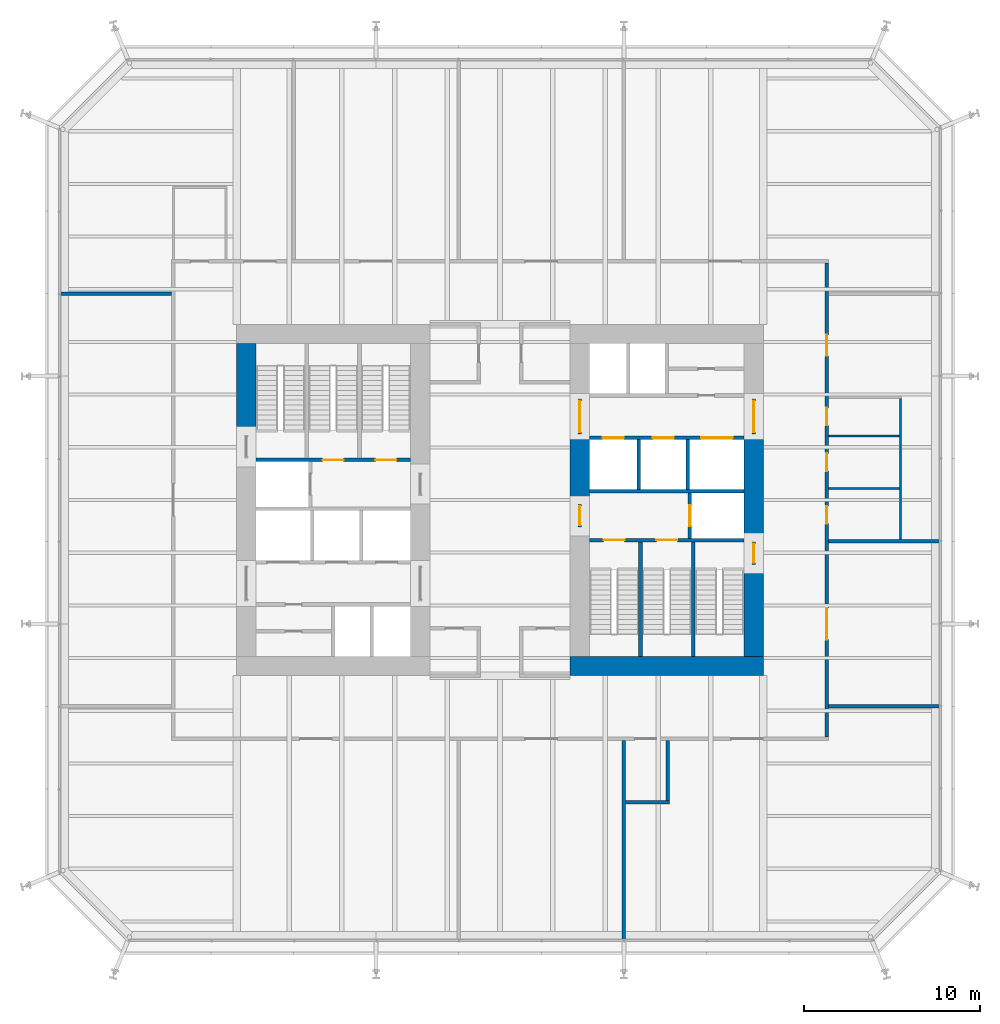
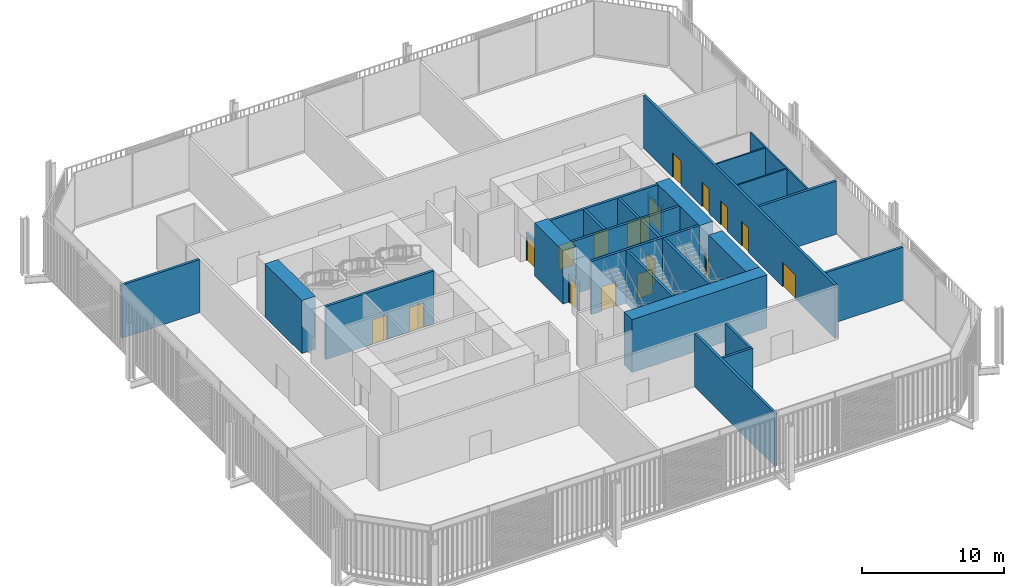
# One storey, part 19 of 22: 28 walls, 17 doors, 17 openings.
"""IFC4 building model written with IfcOpenShell, lengths in metres."""

from ifc_helpers import new_model, si_unit, direction, frame, frame_2d, origin, place, context, subcontext, project, spatial, rectangle, extrude, material, layer, layer_set, type_object, element, fill, save


model = new_model("IFC4")

# Units and contexts
model_context = context("Model", 3, precision=1e-05, world=origin(), true_north=direction((0.0, 1.0)))
body_context = subcontext(model_context, "Body", "Model", "MODEL_VIEW")
ifc_project = project(units=[si_unit("LENGTHUNIT", "METRE"), si_unit("AREAUNIT", "SQUARE_METRE"), si_unit("VOLUMEUNIT", "CUBIC_METRE"), si_unit("PLANEANGLEUNIT", "RADIAN"), si_unit("MASSUNIT", "GRAM", prefix="KILO")], contexts=[model_context])

# Site, building, storey
site_placement = place(None, origin())
site = spatial("IfcSite", under=ifc_project, at=site_placement, CompositionType="ELEMENT")
building_placement = place(site_placement, origin())
building = spatial("IfcBuilding", under=site, at=building_placement, Name="Millrace Tower", CompositionType="ELEMENT")
storey_placement = place(building_placement, frame((0.0, 0.0, 40.10009765625)))
storey = spatial("IfcBuildingStorey", under=building, at=storey_placement, Name="L09", CompositionType="ELEMENT", Elevation=40.10009765625)

# Walls
ifc_material_1 = material(Name="Concrete C80", Category="concrete")
ifc_layer_1 = layer(ifc_material_1, 1.10009765625)
ifc_layer_set_1 = layer_set([ifc_layer_1], Name="Concrete C80")
wall_type_1 = type_object("IfcWallType", Name="Core wall 1100 Concrete C80", PredefinedType="SHEAR", material=ifc_layer_set_1)
wall_1_placement = place(storey_placement, frame((-14.449951171875, 3.679931640625, 0.0), z_axis=(0.0, 0.0, 1.0), x_axis=(0.0, 1.0, 0.0)))
element("IfcWall", 1, at=wall_1_placement, inside=storey, type_object=wall_type_1, Name="Core wall W L09", PredefinedType="SHEAR", context=body_context, shape_type="SweptSolid", body=[
    extrude(rectangle(XDim=5.219970703125, YDim=1.10009765625, at=frame_2d((2.60986328125, 0.0))), origin(), (0.0, 0.0, 1.0), 4.574951171875),
])
wall_2_placement = place(storey_placement, frame((15.0, -9.449951171875, 0.0), z_axis=(0.0, 0.0, 1.0), x_axis=(-1.0, 0.0, 0.0)))
element("IfcWall", 2, at=wall_2_placement, inside=storey, type_object=wall_type_1, Name="Core wall E L09", PredefinedType="SHEAR", context=body_context, shape_type="SweptSolid", body=[
    extrude(rectangle(XDim=11.0, YDim=1.10009765625, at=frame_2d((5.5, 0.0))), origin(), (0.0, 0.0, 1.0), 4.574951171875),
])
wall_3_placement = place(storey_placement, frame((14.449951171875, 3.75, 0.0), z_axis=(0.0, 0.0, 1.0), x_axis=(0.0, -1.0, 0.0)))
element("IfcWall", 3, at=wall_3_placement, inside=storey, type_object=wall_type_1, Name="Core wall E L09", PredefinedType="SHEAR", context=body_context, shape_type="SweptSolid", body=[
    extrude(rectangle(XDim=6.1298828125, YDim=1.10009765625, at=frame_2d((3.06494140625, 0.0))), origin(), (0.0, 0.0, 1.0), 4.574951171875),
])
wall_4_placement = place(storey_placement, frame((14.449951171875, -3.679931640625, 0.0), z_axis=(0.0, 0.0, 1.0), x_axis=(0.0, -1.0, 0.0)))
element("IfcWall", 4, at=wall_4_placement, inside=storey, type_object=wall_type_1, Name="Core wall E L09", PredefinedType="SHEAR", context=body_context, shape_type="SweptSolid", body=[
    extrude(rectangle(XDim=5.219970703125, YDim=1.10009765625, at=frame_2d((2.60986328125, 0.0))), origin(), (0.0, 0.0, 1.0), 4.574951171875),
])
wall_5_placement = place(storey_placement, frame((4.550048828125, 3.75, 0.0), z_axis=(0.0, 0.0, 1.0), x_axis=(0.0, -1.0, 0.0)))
element("IfcWall", 5, at=wall_5_placement, inside=storey, type_object=wall_type_1, Name="Core wall E L09", PredefinedType="SHEAR", context=body_context, shape_type="SweptSolid", body=[
    extrude(rectangle(XDim=4.0, YDim=1.10009765625, at=frame_2d((2.0, 0.0))), origin(), (0.0, 0.0, 1.0), 4.574951171875),
])
ifc_material_2 = material(Name="Masonry partition, fire-rated", Category="masonry")
ifc_layer_2 = layer(ifc_material_2, 0.199951171875)
ifc_layer_set_2 = layer_set([ifc_layer_2], Name="Masonry partition, fire-rated")
wall_type_2 = type_object("IfcWallType", Name="Corridor wall 200", PredefinedType="PARTITIONING", material=ifc_layer_set_2)
wall_6_placement = place(storey_placement, frame((7.14990234375, -17.199951171875, 0.0), z_axis=(0.0, 0.0, 1.0), x_axis=(1.0, 0.0, 0.0)))
element("IfcWall", 6, at=wall_6_placement, inside=storey, type_object=wall_type_2, Name="Corridor wall L09", PredefinedType="PARTITIONING", context=body_context, shape_type="SweptSolid", body=[
    extrude(rectangle(XDim=2.5, YDim=0.199951171875, at=frame_2d((1.25, 0.0))), origin(), (0.0, 0.0, 1.0), 4.574951171875),
])
for number, where, z_axis, x_axis, name in (
    (7, (18.699951171875, -11.75, 0.0), (0.0, 0.0, 1.0), (1.0, 0.0, 0.0), "Corridor wall L09"),
    (8, (18.699951171875, -2.35009765625, 0.0), (0.0, 0.0, 1.0), (1.0, 0.0, 0.0), "Corridor wall L09"),
    (9, (-25.030029296875, 11.75, 0.0), (0.0, 0.0, 1.0), (1.0, 0.0, 0.0), "Corridor wall L09"),
):
    element("IfcWall", number, at=place(storey_placement, frame(where, z_axis=z_axis, x_axis=x_axis)), inside=storey, type_object=wall_type_2, Name=name, PredefinedType="PARTITIONING", context=body_context, shape_type="SweptSolid", body=[
        extrude(rectangle(XDim=6.330078125, YDim=0.199951171875, at=frame_2d((3.1650390625, 0.0))), origin(), (0.0, 0.0, 1.0), 4.574951171875),
    ])

# Wall, openings, doors
wall_7_placement = place(storey_placement, frame((18.60009765625, -13.5, 0.0), z_axis=(0.0, 0.0, 1.0), x_axis=(0.0, 1.0, 0.0)))
wall_7 = element("IfcWall", 10, at=wall_7_placement, inside=storey, type_object=wall_type_2, Name="Corridor wall L09", PredefinedType="PARTITIONING", context=body_context, shape_type="SweptSolid", body=[
    extrude(rectangle(XDim=27.0, YDim=0.199951171875, at=frame_2d((13.5, 0.0))), origin(), (0.0, 0.0, 1.0), 4.574951171875),
])
opening_1_placement = place(wall_7_placement, frame((5.550048828125, 0.0, 0.0)))
opening_1 = element("IfcOpeningElement", 11, at=opening_1_placement, cuts=wall_7, Name="Opening 09-P014", PredefinedType="OPENING", context=body_context, shape_type="SweptSolid", body=[
    extrude(rectangle(XDim=1.800048828125, YDim=2.10009765625, at=frame_2d((0.89990234375, 1.050048828125))), frame((0.0, 0.10986328125, 0.0), z_axis=(0.0, -1.0, 0.0), x_axis=(1.0, 0.0, 0.0)), (0.0, 0.0, 1.0), 0.219970703125),
])
opening_2_placement = place(wall_7_placement, frame((21.699951171875, 0.0, 0.0)))
opening_2 = element("IfcOpeningElement", 12, at=opening_2_placement, cuts=wall_7, Name="Opening 09-P015", PredefinedType="OPENING", context=body_context, shape_type="SweptSolid", body=[
    extrude(rectangle(XDim=1.199951171875, YDim=2.10009765625, at=frame_2d((0.60009765625, 1.050048828125))), frame((0.0, 0.10986328125, 0.0), z_axis=(0.0, -1.0, 0.0), x_axis=(1.0, 0.0, 0.0)), (0.0, 0.0, 1.0), 0.219970703125),
])
opening_3_placement = place(wall_7_placement, frame((12.14990234375, 0.0, 0.0)))
opening_3 = element("IfcOpeningElement", 13, at=opening_3_placement, cuts=wall_7, Name="Opening 09-P017", PredefinedType="OPENING", context=body_context, shape_type="SweptSolid", body=[
    extrude(rectangle(XDim=1.0, YDim=2.10009765625, at=frame_2d((0.5, 1.050048828125))), frame((0.0, 0.10986328125, 0.0), z_axis=(0.0, -1.0, 0.0), x_axis=(1.0, 0.0, 0.0)), (0.0, 0.0, 1.0), 0.219970703125),
])
opening_4_placement = place(wall_7_placement, frame((15.14990234375, 0.0, 0.0)))
opening_4 = element("IfcOpeningElement", 14, at=opening_4_placement, cuts=wall_7, Name="Opening 09-P018", PredefinedType="OPENING", context=body_context, shape_type="SweptSolid", body=[
    extrude(rectangle(XDim=1.0, YDim=2.10009765625, at=frame_2d((0.5, 1.050048828125))), frame((0.0, 0.10986328125, 0.0), z_axis=(0.0, -1.0, 0.0), x_axis=(1.0, 0.0, 0.0)), (0.0, 0.0, 1.0), 0.219970703125),
])
opening_5_placement = place(wall_7_placement, frame((17.75, 0.0, 0.0)))
opening_5 = element("IfcOpeningElement", 15, at=opening_5_placement, cuts=wall_7, Name="Opening 09-P019", PredefinedType="OPENING", context=body_context, shape_type="SweptSolid", body=[
    extrude(rectangle(XDim=1.0, YDim=2.10009765625, at=frame_2d((0.5, 1.050048828125))), frame((0.0, 0.10986328125, 0.0), z_axis=(0.0, -1.0, 0.0), x_axis=(1.0, 0.0, 0.0)), (0.0, 0.0, 1.0), 0.219970703125),
])
ifc_material_3 = material(Name="Steel door set, fire-rated", Category="steel")
door_type_1 = type_object("IfcDoorType", Name="Corridor door 1000 x 2100", OperationType="SINGLE_SWING_LEFT", PredefinedType="DOOR", material=ifc_material_3)
door_1_placement = place(opening_3_placement, frame((1.0, 0.0, 0.0), z_axis=(0.0, 0.0, 1.0), x_axis=(-1.0, 0.0, 0.0)))
door_1 = element("IfcDoor", 16, at=door_1_placement, inside=storey, type_object=door_type_1, Name="Door 09-P017", OperationType="SINGLE_SWING_RIGHT", OverallHeight=2.10009765625, OverallWidth=1.0, PredefinedType="DOOR", context=body_context, shape_type="SweptSolid", body=[
    extrude(rectangle(XDim=1.0, YDim=2.10009765625, at=frame_2d((0.5, 1.050048828125))), frame((0.0, 0.02490234375, 0.0), z_axis=(0.0, -1.0, 0.0), x_axis=(1.0, 0.0, 0.0)), (0.0, 0.0, 1.0), 0.050048828125),
])
fill(opening_3, door_1)
door_2_placement = place(opening_4_placement, frame((1.0, 0.0, 0.0), z_axis=(0.0, 0.0, 1.0), x_axis=(-1.0, 0.0, 0.0)))
door_2 = element("IfcDoor", 17, at=door_2_placement, inside=storey, type_object=door_type_1, Name="Door 09-P018", OperationType="SINGLE_SWING_LEFT", OverallHeight=2.10009765625, OverallWidth=1.0, PredefinedType="DOOR", context=body_context, shape_type="SweptSolid", body=[
    extrude(rectangle(XDim=1.0, YDim=2.10009765625, at=frame_2d((0.5, 1.050048828125))), frame((0.0, 0.02490234375, 0.0), z_axis=(0.0, -1.0, 0.0), x_axis=(1.0, 0.0, 0.0)), (0.0, 0.0, 1.0), 0.050048828125),
])
fill(opening_4, door_2)
door_3_placement = place(opening_5_placement, frame((1.0, 0.0, 0.0), z_axis=(0.0, 0.0, 1.0), x_axis=(-1.0, 0.0, 0.0)))
door_3 = element("IfcDoor", 18, at=door_3_placement, inside=storey, type_object=door_type_1, Name="Door 09-P019", OperationType="SINGLE_SWING_LEFT", OverallHeight=2.10009765625, OverallWidth=1.0, PredefinedType="DOOR", context=body_context, shape_type="SweptSolid", body=[
    extrude(rectangle(XDim=1.0, YDim=2.10009765625, at=frame_2d((0.5, 1.050048828125))), frame((0.0, 0.02490234375, 0.0), z_axis=(0.0, -1.0, 0.0), x_axis=(1.0, 0.0, 0.0)), (0.0, 0.0, 1.0), 0.050048828125),
])
fill(opening_5, door_3)
ifc_material_4 = material(Name="Steel door set, fire-rated", Category="steel")
door_type_2 = type_object("IfcDoorType", Name="Corridor door 1200 x 2100", OperationType="SINGLE_SWING_LEFT", PredefinedType="DOOR", material=ifc_material_4)
door_4_placement = place(opening_2_placement, frame((1.199951171875, 0.0, 0.0), z_axis=(0.0, 0.0, 1.0), x_axis=(-1.0, 0.0, 0.0)))
door_4 = element("IfcDoor", 19, at=door_4_placement, inside=storey, type_object=door_type_2, Name="Door 09-P015", OperationType="SINGLE_SWING_LEFT", OverallHeight=2.10009765625, OverallWidth=1.199951171875, PredefinedType="DOOR", context=body_context, shape_type="SweptSolid", body=[
    extrude(rectangle(XDim=1.199951171875, YDim=2.10009765625, at=frame_2d((0.60009765625, 1.050048828125))), frame((0.0, 0.02490234375, 0.0), z_axis=(0.0, -1.0, 0.0), x_axis=(1.0, 0.0, 0.0)), (0.0, 0.0, 1.0), 0.050048828125),
])
fill(opening_2, door_4)
ifc_material_5 = material(Name="Steel door set, fire-rated", Category="steel")
door_type_3 = type_object("IfcDoorType", Name="Data hall door 1800 x 2100", OperationType="DOUBLE_DOOR_SINGLE_SWING", PredefinedType="DOOR", material=ifc_material_5)
door_5_placement = place(opening_1_placement, frame((1.800048828125, 0.0, 0.0), z_axis=(0.0, 0.0, 1.0), x_axis=(-1.0, 0.0, 0.0)))
door_5 = element("IfcDoor", 20, at=door_5_placement, inside=storey, type_object=door_type_3, Name="Door 09-P014", OperationType="DOUBLE_DOOR_SINGLE_SWING", OverallHeight=2.10009765625, OverallWidth=1.800048828125, PredefinedType="DOOR", context=body_context, shape_type="SweptSolid", body=[
    extrude(rectangle(XDim=1.800048828125, YDim=2.10009765625, at=frame_2d((0.89990234375, 1.050048828125))), frame((0.0, 0.02490234375, 0.0), z_axis=(0.0, -1.0, 0.0), x_axis=(1.0, 0.0, 0.0)), (0.0, 0.0, 1.0), 0.050048828125),
])
fill(opening_1, door_5)

# Walls
wall_8_placement = place(storey_placement, frame((9.550048828125, -17.10009765625, 0.0), z_axis=(0.0, 0.0, 1.0), x_axis=(0.0, 1.0, 0.0)))
element("IfcWall", 21, at=wall_8_placement, inside=storey, type_object=wall_type_2, Name="Corridor wall L09", PredefinedType="PARTITIONING", context=body_context, shape_type="SweptSolid", body=[
    extrude(rectangle(XDim=3.400146484375, YDim=0.199951171875, at=frame_2d((1.7001953125, 0.0))), origin(), (0.0, 0.0, 1.0), 4.574951171875),
])
wall_9_placement = place(storey_placement, frame((7.050048828125, -25.030029296875, 0.0), z_axis=(0.0, 0.0, 1.0), x_axis=(0.0, 1.0, 0.0)))
element("IfcWall", 22, at=wall_9_placement, inside=storey, type_object=wall_type_2, Name="Corridor wall L09", PredefinedType="PARTITIONING", context=body_context, shape_type="SweptSolid", body=[
    extrude(rectangle(XDim=11.330078125, YDim=0.199951171875, at=frame_2d((5.6650390625, 0.0))), origin(), (0.0, 0.0, 1.0), 4.574951171875),
])

# Wall, openings, doors
ifc_material_6 = material(Name="Masonry partition, fire-rated", Category="masonry")
ifc_layer_3 = layer(ifc_material_6, 0.199951171875)
ifc_layer_set_3 = layer_set([ifc_layer_3], Name="Masonry partition, fire-rated")
wall_type_3 = type_object("IfcWallType", Name="Lift shaft wall 200", PredefinedType="PARTITIONING", material=ifc_layer_set_3)
wall_10_placement = place(storey_placement, frame((13.89990234375, 3.550048828125, 0.0), z_axis=(0.0, 0.0, 1.0), x_axis=(-1.0, 0.0, 0.0)))
wall_10 = element("IfcWall", 23, at=wall_10_placement, inside=storey, type_object=wall_type_3, Name="Lift shaft wall E L09", PredefinedType="PARTITIONING", context=body_context, shape_type="SweptSolid", body=[
    extrude(rectangle(XDim=8.7998046875, YDim=0.199951171875, at=frame_2d((4.39990234375, 0.0))), origin(), (0.0, 0.0, 1.0), 4.574951171875),
])
opening_6_placement = place(wall_10_placement, frame((0.64990234375, 0.0, 0.0)))
opening_6 = element("IfcOpeningElement", 24, at=opening_6_placement, cuts=wall_10, Name="Opening 09-LD13", PredefinedType="OPENING", context=body_context, shape_type="SweptSolid", body=[
    extrude(rectangle(XDim=1.800048828125, YDim=2.10009765625, at=frame_2d((0.89990234375, 1.050048828125))), frame((0.0, 0.10986328125, 0.0), z_axis=(0.0, -1.0, 0.0), x_axis=(1.0, 0.0, 0.0)), (0.0, 0.0, 1.0), 0.219970703125),
])
opening_7_placement = place(wall_10_placement, frame((4.0, 0.0, 0.0)))
opening_7 = element("IfcOpeningElement", 25, at=opening_7_placement, cuts=wall_10, Name="Opening 09-LD14", PredefinedType="OPENING", context=body_context, shape_type="SweptSolid", body=[
    extrude(rectangle(XDim=1.199951171875, YDim=2.10009765625, at=frame_2d((0.60009765625, 1.050048828125))), frame((0.0, 0.10986328125, 0.0), z_axis=(0.0, -1.0, 0.0), x_axis=(1.0, 0.0, 0.0)), (0.0, 0.0, 1.0), 0.219970703125),
])
opening_8_placement = place(wall_10_placement, frame((6.85009765625, 0.0, 0.0)))
opening_8 = element("IfcOpeningElement", 26, at=opening_8_placement, cuts=wall_10, Name="Opening 09-LD15", PredefinedType="OPENING", context=body_context, shape_type="SweptSolid", body=[
    extrude(rectangle(XDim=1.199951171875, YDim=2.10009765625, at=frame_2d((0.60009765625, 1.050048828125))), frame((0.0, 0.10986328125, 0.0), z_axis=(0.0, -1.0, 0.0), x_axis=(1.0, 0.0, 0.0)), (0.0, 0.0, 1.0), 0.219970703125),
])
ifc_material_7 = material(Name="Stainless steel, fire-rated", Category="steel")
door_type_4 = type_object("IfcDoorType", Name="Lift landing door 1200 x 2100", OperationType="DOUBLE_DOOR_SLIDING", PredefinedType="DOOR", material=ifc_material_7)
door_6_placement = place(opening_7_placement, origin())
door_6 = element("IfcDoor", 27, at=door_6_placement, inside=storey, type_object=door_type_4, Name="Lift landing door LF14 L09", OperationType="DOUBLE_DOOR_SLIDING", OverallHeight=2.10009765625, OverallWidth=1.199951171875, PredefinedType="DOOR", context=body_context, shape_type="SweptSolid", body=[
    extrude(rectangle(XDim=1.199951171875, YDim=2.10009765625, at=frame_2d((0.60009765625, 1.050048828125))), frame((0.0, 0.02490234375, 0.0), z_axis=(0.0, -1.0, 0.0), x_axis=(1.0, 0.0, 0.0)), (0.0, 0.0, 1.0), 0.050048828125),
])
fill(opening_7, door_6)
door_7_placement = place(opening_8_placement, origin())
door_7 = element("IfcDoor", 28, at=door_7_placement, inside=storey, type_object=door_type_4, Name="Lift landing door LF15 L09", OperationType="DOUBLE_DOOR_SLIDING", OverallHeight=2.10009765625, OverallWidth=1.199951171875, PredefinedType="DOOR", context=body_context, shape_type="SweptSolid", body=[
    extrude(rectangle(XDim=1.199951171875, YDim=2.10009765625, at=frame_2d((0.60009765625, 1.050048828125))), frame((0.0, 0.02490234375, 0.0), z_axis=(0.0, -1.0, 0.0), x_axis=(1.0, 0.0, 0.0)), (0.0, 0.0, 1.0), 0.050048828125),
])
fill(opening_8, door_7)
ifc_material_8 = material(Name="Stainless steel, fire-rated", Category="steel")
door_type_5 = type_object("IfcDoorType", Name="Lift landing door 1800 x 2100", OperationType="DOUBLE_DOOR_SLIDING", PredefinedType="DOOR", material=ifc_material_8)
door_8_placement = place(opening_6_placement, origin())
door_8 = element("IfcDoor", 29, at=door_8_placement, inside=storey, type_object=door_type_5, Name="Lift landing door LF13 L09", OperationType="DOUBLE_DOOR_SLIDING", OverallHeight=2.10009765625, OverallWidth=1.800048828125, PredefinedType="DOOR", context=body_context, shape_type="SweptSolid", body=[
    extrude(rectangle(XDim=1.800048828125, YDim=2.10009765625, at=frame_2d((0.89990234375, 1.050048828125))), frame((0.0, 0.02490234375, 0.0), z_axis=(0.0, -1.0, 0.0), x_axis=(1.0, 0.0, 0.0)), (0.0, 0.0, 1.0), 0.050048828125),
])
fill(opening_6, door_8)

# Wall
wall_11_placement = place(storey_placement, frame((13.89990234375, 0.5, 0.0), z_axis=(0.0, 0.0, 1.0), x_axis=(-1.0, 0.0, 0.0)))
element("IfcWall", 30, at=wall_11_placement, inside=storey, type_object=wall_type_3, Name="Lift shaft wall E L09", PredefinedType="PARTITIONING", context=body_context, shape_type="SweptSolid", body=[
    extrude(rectangle(XDim=8.7998046875, YDim=0.199951171875, at=frame_2d((4.39990234375, 0.0))), origin(), (0.0, 0.0, 1.0), 4.574951171875),
])

# Wall, opening, door
wall_12_placement = place(storey_placement, frame((10.800048828125, 0.39990234375, 0.0), z_axis=(0.0, 0.0, 1.0), x_axis=(0.0, -1.0, 0.0)))
wall_12 = element("IfcWall", 31, at=wall_12_placement, inside=storey, type_object=wall_type_3, Name="Lift shaft wall E L09", PredefinedType="PARTITIONING", context=body_context, shape_type="SweptSolid", body=[
    extrude(rectangle(XDim=2.579833984375, YDim=0.199951171875, at=frame_2d((1.2900390625, 0.0))), origin(), (0.0, 0.0, 1.0), 4.574951171875),
])
opening_9_placement = place(wall_12_placement, frame((0.68994140625, 0.0, 0.0)))
opening_9 = element("IfcOpeningElement", 32, at=opening_9_placement, cuts=wall_12, Name="Opening 09-LD16", PredefinedType="OPENING", context=body_context, shape_type="SweptSolid", body=[
    extrude(rectangle(XDim=1.199951171875, YDim=2.10009765625, at=frame_2d((0.60009765625, 1.050048828125))), frame((0.0, 0.10986328125, 0.0), z_axis=(0.0, -1.0, 0.0), x_axis=(1.0, 0.0, 0.0)), (0.0, 0.0, 1.0), 0.219970703125),
])
door_9_placement = place(opening_9_placement, origin())
door_9 = element("IfcDoor", 33, at=door_9_placement, inside=storey, type_object=door_type_4, Name="Lift landing door LF16 L09", OperationType="DOUBLE_DOOR_SLIDING", OverallHeight=2.10009765625, OverallWidth=1.199951171875, PredefinedType="DOOR", context=body_context, shape_type="SweptSolid", body=[
    extrude(rectangle(XDim=1.199951171875, YDim=2.10009765625, at=frame_2d((0.60009765625, 1.050048828125))), frame((0.0, 0.02490234375, 0.0), z_axis=(0.0, -1.0, 0.0), x_axis=(1.0, 0.0, 0.0)), (0.0, 0.0, 1.0), 0.050048828125),
])
fill(opening_9, door_9)

# Walls
for number, where, z_axis, x_axis, name in (
    (34, (10.699951171875, 3.449951171875, 0.0), (0.0, 0.0, 1.0), (0.0, -1.0, 0.0), "Lift shaft wall E L09"),
    (35, (7.89990234375, 3.449951171875, 0.0), (0.0, 0.0, 1.0), (0.0, -1.0, 0.0), "Lift shaft wall E L09"),
):
    element("IfcWall", number, at=place(storey_placement, frame(where, z_axis=z_axis, x_axis=x_axis)), inside=storey, type_object=wall_type_3, Name=name, PredefinedType="PARTITIONING", context=body_context, shape_type="SweptSolid", body=[
        extrude(rectangle(XDim=2.849853515625, YDim=0.199951171875, at=frame_2d((1.4248046875, 0.0))), origin(), (0.0, 0.0, 1.0), 4.574951171875),
    ])

# Wall, opening, door
ifc_material_9 = material(Name="Masonry partition, fire-rated", Category="masonry")
ifc_layer_4 = layer(ifc_material_9, 0.199951171875)
ifc_layer_set_4 = layer_set([ifc_layer_4], Name="Masonry partition, fire-rated")
wall_type_4 = type_object("IfcWallType", Name="Lobby wall 200", PredefinedType="PARTITIONING", material=ifc_layer_set_4)
wall_13_placement = place(storey_placement, frame((14.449951171875, 5.75, 0.0), z_axis=(0.0, 0.0, 1.0), x_axis=(0.0, -1.0, 0.0)))
wall_13 = element("IfcWall", 36, at=wall_13_placement, inside=storey, type_object=wall_type_4, Name="Lobby wall E L09", PredefinedType="PARTITIONING", context=body_context, shape_type="SweptSolid", body=[
    extrude(rectangle(XDim=2.0, YDim=0.199951171875, at=frame_2d((1.0, 0.0))), origin(), (0.0, 0.0, 1.0), 2.39990234375),
])
opening_10_placement = place(wall_13_placement, frame((0.10009765625, 0.0, 0.0)))
opening_10 = element("IfcOpeningElement", 37, at=opening_10_placement, cuts=wall_13, Name="Opening 09-C009", PredefinedType="OPENING", context=body_context, shape_type="SweptSolid", body=[
    extrude(rectangle(XDim=1.800048828125, YDim=2.10009765625, at=frame_2d((0.89990234375, 1.050048828125))), frame((0.0, 0.10986328125, 0.0), z_axis=(0.0, -1.0, 0.0), x_axis=(1.0, 0.0, 0.0)), (0.0, 0.0, 1.0), 0.219970703125),
])
ifc_material_10 = material(Name="Steel door, fire-rated", Category="steel")
door_type_6 = type_object("IfcDoorType", Name="Lobby door 1800 x 2100", OperationType="DOUBLE_DOOR_SINGLE_SWING", PredefinedType="DOOR", material=ifc_material_10)
door_10_placement = place(opening_10_placement, origin())
door_10 = element("IfcDoor", 38, at=door_10_placement, inside=storey, type_object=door_type_6, Name="Lobby door 09-C009", OperationType="DOUBLE_DOOR_SINGLE_SWING", OverallHeight=2.10009765625, OverallWidth=1.800048828125, PredefinedType="DOOR", context=body_context, shape_type="SweptSolid", body=[
    extrude(rectangle(XDim=1.800048828125, YDim=2.10009765625, at=frame_2d((0.89990234375, 1.050048828125))), frame((0.0, 0.02490234375, 0.0), z_axis=(0.0, -1.0, 0.0), x_axis=(1.0, 0.0, 0.0)), (0.0, 0.0, 1.0), 0.050048828125),
])
fill(opening_10, door_10)

wall_14_placement = place(storey_placement, frame((4.550048828125, 5.75, 0.0), z_axis=(0.0, 0.0, 1.0), x_axis=(0.0, -1.0, 0.0)))
wall_14 = element("IfcWall", 39, at=wall_14_placement, inside=storey, type_object=wall_type_4, Name="Lobby wall E L09", PredefinedType="PARTITIONING", context=body_context, shape_type="SweptSolid", body=[
    extrude(rectangle(XDim=2.0, YDim=0.199951171875, at=frame_2d((1.0, 0.0))), origin(), (0.0, 0.0, 1.0), 2.39990234375),
])
opening_11_placement = place(wall_14_placement, frame((0.10009765625, 0.0, 0.0)))
opening_11 = element("IfcOpeningElement", 40, at=opening_11_placement, cuts=wall_14, Name="Opening 09-C011", PredefinedType="OPENING", context=body_context, shape_type="SweptSolid", body=[
    extrude(rectangle(XDim=1.800048828125, YDim=2.10009765625, at=frame_2d((0.89990234375, 1.050048828125))), frame((0.0, 0.10986328125, 0.0), z_axis=(0.0, -1.0, 0.0), x_axis=(1.0, 0.0, 0.0)), (0.0, 0.0, 1.0), 0.219970703125),
])
door_11_placement = place(opening_11_placement, origin())
door_11 = element("IfcDoor", 41, at=door_11_placement, inside=storey, type_object=door_type_6, Name="Lobby door 09-C011", OperationType="DOUBLE_DOOR_SINGLE_SWING", OverallHeight=2.10009765625, OverallWidth=1.800048828125, PredefinedType="DOOR", context=body_context, shape_type="SweptSolid", body=[
    extrude(rectangle(XDim=1.800048828125, YDim=2.10009765625, at=frame_2d((0.89990234375, 1.050048828125))), frame((0.0, 0.02490234375, 0.0), z_axis=(0.0, -1.0, 0.0), x_axis=(1.0, 0.0, 0.0)), (0.0, 0.0, 1.0), 0.050048828125),
])
fill(opening_11, door_11)

wall_15_placement = place(storey_placement, frame((4.550048828125, -0.25, 0.0), z_axis=(0.0, 0.0, 1.0), x_axis=(0.0, -1.0, 0.0)))
wall_15 = element("IfcWall", 42, at=wall_15_placement, inside=storey, type_object=wall_type_4, Name="Lobby wall E L09", PredefinedType="PARTITIONING", context=body_context, shape_type="SweptSolid", body=[
    extrude(rectangle(XDim=1.300048828125, YDim=0.199951171875, at=frame_2d((0.64990234375, 0.0))), origin(), (0.0, 0.0, 1.0), 2.39990234375),
])
opening_12_placement = place(wall_15_placement, frame((0.10009765625, 0.0, 0.0)))
opening_12 = element("IfcOpeningElement", 43, at=opening_12_placement, cuts=wall_15, Name="Opening 09-C012", PredefinedType="OPENING", context=body_context, shape_type="SweptSolid", body=[
    extrude(rectangle(XDim=1.10009765625, YDim=2.10009765625, at=frame_2d((0.550048828125, 1.050048828125))), frame((0.0, 0.10986328125, 0.0), z_axis=(0.0, -1.0, 0.0), x_axis=(1.0, 0.0, 0.0)), (0.0, 0.0, 1.0), 0.219970703125),
])
ifc_material_11 = material(Name="Steel door, fire-rated", Category="steel")
door_type_7 = type_object("IfcDoorType", Name="Lobby door 1100 x 2100", OperationType="SINGLE_SWING_LEFT", PredefinedType="DOOR", material=ifc_material_11)
door_12_placement = place(opening_12_placement, origin())
door_12 = element("IfcDoor", 44, at=door_12_placement, inside=storey, type_object=door_type_7, Name="Lobby door 09-C012", OperationType="SINGLE_SWING_RIGHT", OverallHeight=2.10009765625, OverallWidth=1.10009765625, PredefinedType="DOOR", context=body_context, shape_type="SweptSolid", body=[
    extrude(rectangle(XDim=1.10009765625, YDim=2.10009765625, at=frame_2d((0.550048828125, 1.050048828125))), frame((0.0, 0.02490234375, 0.0), z_axis=(0.0, -1.0, 0.0), x_axis=(1.0, 0.0, 0.0)), (0.0, 0.0, 1.0), 0.050048828125),
])
fill(opening_12, door_12)

# Walls
ifc_material_12 = material(Name="Gypsum board partition")
ifc_layer_5 = layer(ifc_material_12, 0.1201171875)
ifc_layer_set_5 = layer_set([ifc_layer_5], Name="Gypsum board partition")
wall_type_5 = type_object("IfcWallType", Name="Partition wall 120", PredefinedType="PARTITIONING", material=ifc_layer_set_5)
for number, where, z_axis, x_axis, name in (
    (45, (18.699951171875, 0.64990234375, 0.0), (0.0, 0.0, 1.0), (1.0, 0.0, 0.0), "Partition wall L09"),
    (46, (18.699951171875, 3.64990234375, 0.0), (0.0, 0.0, 1.0), (1.0, 0.0, 0.0), "Partition wall L09"),
):
    element("IfcWall", number, at=place(storey_placement, frame(where, z_axis=z_axis, x_axis=x_axis)), inside=storey, type_object=wall_type_5, Name=name, PredefinedType="PARTITIONING", context=body_context, shape_type="SweptSolid", body=[
        extrude(rectangle(XDim=4.0400390625, YDim=0.1201171875, at=frame_2d((2.02001953125, 0.0))), origin(), (0.0, 0.0, 1.0), 4.574951171875),
    ])
wall_16_placement = place(storey_placement, frame((22.800048828125, -2.25, 0.0), z_axis=(0.0, 0.0, 1.0), x_axis=(0.0, 1.0, 0.0)))
element("IfcWall", 47, at=wall_16_placement, inside=storey, type_object=wall_type_5, Name="Partition wall L09", PredefinedType="PARTITIONING", context=body_context, shape_type="SweptSolid", body=[
    extrude(rectangle(XDim=8.0400390625, YDim=0.1201171875, at=frame_2d((4.02001953125, 0.0))), origin(), (0.0, 0.0, 1.0), 4.574951171875),
])

# Wall, openings, doors
ifc_material_13 = material(Name="Concrete C40", Category="concrete")
ifc_layer_6 = layer(ifc_material_13, 0.199951171875)
ifc_layer_set_6 = layer_set([ifc_layer_6], Name="Concrete C40")
wall_type_6 = type_object("IfcWallType", Name="Stair enclosure wall 200 Concrete C40", PredefinedType="SHEAR", material=ifc_layer_set_6)
wall_17_placement = place(storey_placement, frame((-13.89990234375, 2.280029296875, 0.0), z_axis=(0.0, 0.0, 1.0), x_axis=(1.0, 0.0, 0.0)))
wall_17 = element("IfcWall", 48, at=wall_17_placement, inside=storey, type_object=wall_type_6, Name="Stair enclosure wall W L09", PredefinedType="SHEAR", context=body_context, shape_type="SweptSolid", body=[
    extrude(rectangle(XDim=8.7998046875, YDim=0.199951171875, at=frame_2d((4.39990234375, 0.0))), origin(), (0.0, 0.0, 1.0), 4.574951171875),
])
opening_13_placement = place(wall_17_placement, frame((3.800048828125, 0.0, 0.0)))
opening_13 = element("IfcOpeningElement", 49, at=opening_13_placement, cuts=wall_17, Name="Opening 09-C007", PredefinedType="OPENING", context=body_context, shape_type="SweptSolid", body=[
    extrude(rectangle(XDim=1.199951171875, YDim=2.10009765625, at=frame_2d((0.60009765625, 1.050048828125))), frame((0.0, 0.10986328125, 0.0), z_axis=(0.0, -1.0, 0.0), x_axis=(1.0, 0.0, 0.0)), (0.0, 0.0, 1.0), 0.219970703125),
])
opening_14_placement = place(wall_17_placement, frame((6.800048828125, 0.0, 0.0)))
opening_14 = element("IfcOpeningElement", 50, at=opening_14_placement, cuts=wall_17, Name="Opening 09-C008", PredefinedType="OPENING", context=body_context, shape_type="SweptSolid", body=[
    extrude(rectangle(XDim=1.199951171875, YDim=2.10009765625, at=frame_2d((0.60009765625, 1.050048828125))), frame((0.0, 0.10986328125, 0.0), z_axis=(0.0, -1.0, 0.0), x_axis=(1.0, 0.0, 0.0)), (0.0, 0.0, 1.0), 0.219970703125),
])
ifc_material_14 = material(Name="Steel door, fire-rated", Category="steel")
door_type_8 = type_object("IfcDoorType", Name="Stair door 1200 x 2100", OperationType="SINGLE_SWING_LEFT", PredefinedType="DOOR", material=ifc_material_14)
door_13_placement = place(opening_13_placement, frame((1.199951171875, 0.0, 0.0), z_axis=(0.0, 0.0, 1.0), x_axis=(-1.0, 0.0, 0.0)))
door_13 = element("IfcDoor", 51, at=door_13_placement, inside=storey, type_object=door_type_8, Name="Stair door 09-C007", OperationType="SINGLE_SWING_LEFT", OverallHeight=2.10009765625, OverallWidth=1.199951171875, PredefinedType="DOOR", context=body_context, shape_type="SweptSolid", body=[
    extrude(rectangle(XDim=1.199951171875, YDim=2.10009765625, at=frame_2d((0.60009765625, 1.050048828125))), frame((0.0, 0.02490234375, 0.0), z_axis=(0.0, -1.0, 0.0), x_axis=(1.0, 0.0, 0.0)), (0.0, 0.0, 1.0), 0.050048828125),
])
fill(opening_13, door_13)
door_14_placement = place(opening_14_placement, frame((1.199951171875, 0.0, 0.0), z_axis=(0.0, 0.0, 1.0), x_axis=(-1.0, 0.0, 0.0)))
door_14 = element("IfcDoor", 52, at=door_14_placement, inside=storey, type_object=door_type_8, Name="Stair door 09-C008", OperationType="SINGLE_SWING_LEFT", OverallHeight=2.10009765625, OverallWidth=1.199951171875, PredefinedType="DOOR", context=body_context, shape_type="SweptSolid", body=[
    extrude(rectangle(XDim=1.199951171875, YDim=2.10009765625, at=frame_2d((0.60009765625, 1.050048828125))), frame((0.0, 0.02490234375, 0.0), z_axis=(0.0, -1.0, 0.0), x_axis=(1.0, 0.0, 0.0)), (0.0, 0.0, 1.0), 0.050048828125),
])
fill(opening_14, door_14)

# Wall, opening, door
wall_18_placement = place(storey_placement, frame((14.449951171875, -2.3798828125, 0.0), z_axis=(0.0, 0.0, 1.0), x_axis=(0.0, -1.0, 0.0)))
wall_18 = element("IfcWall", 53, at=wall_18_placement, inside=storey, type_object=wall_type_6, Name="Stair enclosure wall E L09", PredefinedType="SHEAR", context=body_context, shape_type="SweptSolid", body=[
    extrude(rectangle(XDim=1.300048828125, YDim=0.199951171875, at=frame_2d((0.64990234375, 0.0))), origin(), (0.0, 0.0, 1.0), 2.39990234375),
])
opening_15_placement = place(wall_18_placement, frame((0.10009765625, 0.0, 0.0)))
opening_15 = element("IfcOpeningElement", 54, at=opening_15_placement, cuts=wall_18, Name="Opening 09-C010", PredefinedType="OPENING", context=body_context, shape_type="SweptSolid", body=[
    extrude(rectangle(XDim=1.10009765625, YDim=2.10009765625, at=frame_2d((0.550048828125, 1.050048828125))), frame((0.0, 0.10986328125, 0.0), z_axis=(0.0, -1.0, 0.0), x_axis=(1.0, 0.0, 0.0)), (0.0, 0.0, 1.0), 0.219970703125),
])
ifc_material_15 = material(Name="Steel door, fire-rated", Category="steel")
door_type_9 = type_object("IfcDoorType", Name="Stair door 1100 x 2100", OperationType="SINGLE_SWING_LEFT", PredefinedType="DOOR", material=ifc_material_15)
door_15_placement = place(opening_15_placement, origin())
door_15 = element("IfcDoor", 55, at=door_15_placement, inside=storey, type_object=door_type_9, Name="Stair door 09-C010", OperationType="SINGLE_SWING_RIGHT", OverallHeight=2.10009765625, OverallWidth=1.10009765625, PredefinedType="DOOR", context=body_context, shape_type="SweptSolid", body=[
    extrude(rectangle(XDim=1.10009765625, YDim=2.10009765625, at=frame_2d((0.550048828125, 1.050048828125))), frame((0.0, 0.02490234375, 0.0), z_axis=(0.0, -1.0, 0.0), x_axis=(1.0, 0.0, 0.0)), (0.0, 0.0, 1.0), 0.050048828125),
])
fill(opening_15, door_15)

# Wall, openings, doors
wall_19_placement = place(storey_placement, frame((13.89990234375, -2.280029296875, 0.0), z_axis=(0.0, 0.0, 1.0), x_axis=(-1.0, 0.0, 0.0)))
wall_19 = element("IfcWall", 56, at=wall_19_placement, inside=storey, type_object=wall_type_6, Name="Stair enclosure wall E L09", PredefinedType="SHEAR", context=body_context, shape_type="SweptSolid", body=[
    extrude(rectangle(XDim=8.7998046875, YDim=0.199951171875, at=frame_2d((4.39990234375, 0.0))), origin(), (0.0, 0.0, 1.0), 4.574951171875),
])
opening_16_placement = place(wall_19_placement, frame((3.800048828125, 0.0, 0.0)))
opening_16 = element("IfcOpeningElement", 57, at=opening_16_placement, cuts=wall_19, Name="Opening 09-C015", PredefinedType="OPENING", context=body_context, shape_type="SweptSolid", body=[
    extrude(rectangle(XDim=1.199951171875, YDim=2.10009765625, at=frame_2d((0.60009765625, 1.050048828125))), frame((0.0, 0.10986328125, 0.0), z_axis=(0.0, -1.0, 0.0), x_axis=(1.0, 0.0, 0.0)), (0.0, 0.0, 1.0), 0.219970703125),
])
opening_17_placement = place(wall_19_placement, frame((6.800048828125, 0.0, 0.0)))
opening_17 = element("IfcOpeningElement", 58, at=opening_17_placement, cuts=wall_19, Name="Opening 09-C016", PredefinedType="OPENING", context=body_context, shape_type="SweptSolid", body=[
    extrude(rectangle(XDim=1.199951171875, YDim=2.10009765625, at=frame_2d((0.60009765625, 1.050048828125))), frame((0.0, 0.10986328125, 0.0), z_axis=(0.0, -1.0, 0.0), x_axis=(1.0, 0.0, 0.0)), (0.0, 0.0, 1.0), 0.219970703125),
])
door_16_placement = place(opening_16_placement, frame((1.199951171875, 0.0, 0.0), z_axis=(0.0, 0.0, 1.0), x_axis=(-1.0, 0.0, 0.0)))
door_16 = element("IfcDoor", 59, at=door_16_placement, inside=storey, type_object=door_type_8, Name="Stair door 09-C015", OperationType="SINGLE_SWING_LEFT", OverallHeight=2.10009765625, OverallWidth=1.199951171875, PredefinedType="DOOR", context=body_context, shape_type="SweptSolid", body=[
    extrude(rectangle(XDim=1.199951171875, YDim=2.10009765625, at=frame_2d((0.60009765625, 1.050048828125))), frame((0.0, 0.02490234375, 0.0), z_axis=(0.0, -1.0, 0.0), x_axis=(1.0, 0.0, 0.0)), (0.0, 0.0, 1.0), 0.050048828125),
])
fill(opening_16, door_16)
door_17_placement = place(opening_17_placement, frame((1.199951171875, 0.0, 0.0), z_axis=(0.0, 0.0, 1.0), x_axis=(-1.0, 0.0, 0.0)))
door_17 = element("IfcDoor", 60, at=door_17_placement, inside=storey, type_object=door_type_8, Name="Stair door 09-C016", OperationType="SINGLE_SWING_LEFT", OverallHeight=2.10009765625, OverallWidth=1.199951171875, PredefinedType="DOOR", context=body_context, shape_type="SweptSolid", body=[
    extrude(rectangle(XDim=1.199951171875, YDim=2.10009765625, at=frame_2d((0.60009765625, 1.050048828125))), frame((0.0, 0.02490234375, 0.0), z_axis=(0.0, -1.0, 0.0), x_axis=(1.0, 0.0, 0.0)), (0.0, 0.0, 1.0), 0.050048828125),
])
fill(opening_17, door_17)

# Walls
for number, where, z_axis, x_axis, name in (
    (61, (11.0, -2.3798828125, 0.0), (0.0, 0.0, 1.0), (0.0, -1.0, 0.0), "Stair enclosure wall E L09"),
    (62, (8.0, -2.3798828125, 0.0), (0.0, 0.0, 1.0), (0.0, -1.0, 0.0), "Stair enclosure wall E L09"),
):
    element("IfcWall", number, at=place(storey_placement, frame(where, z_axis=z_axis, x_axis=x_axis)), inside=storey, type_object=wall_type_6, Name=name, PredefinedType="SHEAR", context=body_context, shape_type="SweptSolid", body=[
        extrude(rectangle(XDim=6.52001953125, YDim=0.199951171875, at=frame_2d((3.260009765625, 0.0))), origin(), (0.0, 0.0, 1.0), 4.574951171875),
    ])

save(model, "model.ifc")
